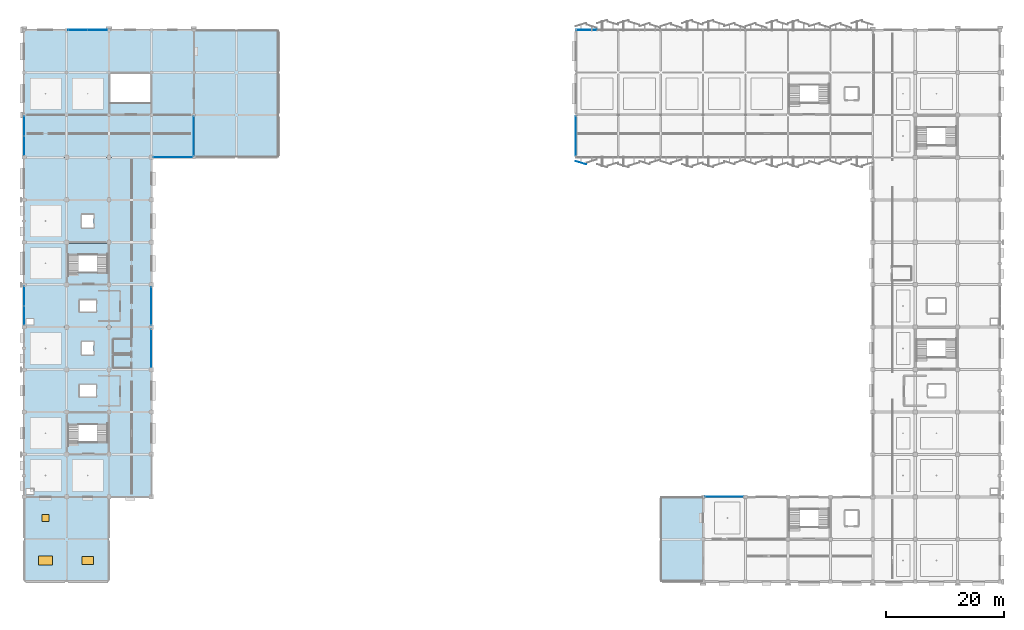
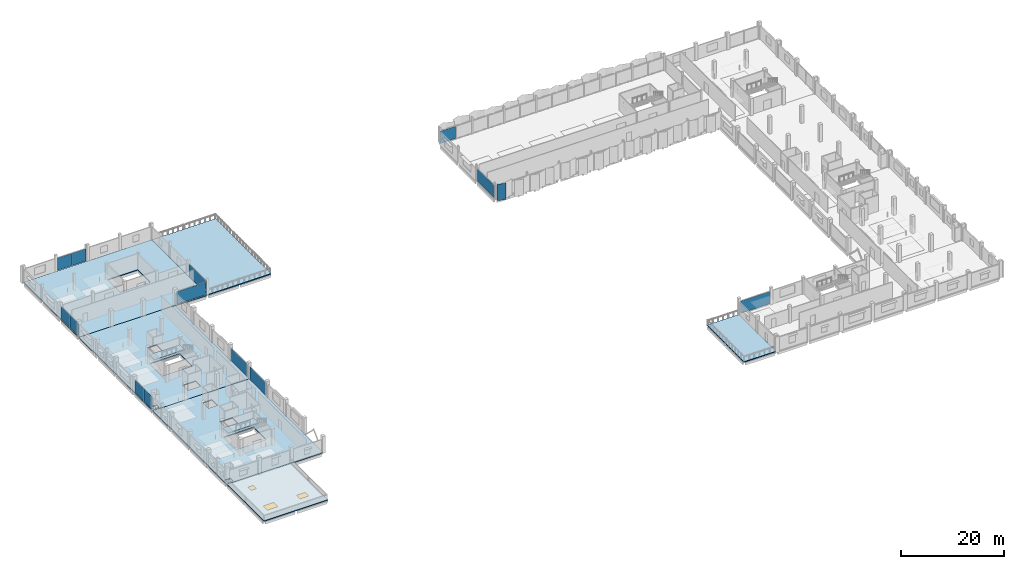
# One storey, part 61 of 91: 14 plates, 8 slabs, 3 windows, 3 openings, 12 elements without a shape of their own.
"""IFC4 building model written with IfcOpenShell, lengths in metres."""

from ifc_helpers import new_model, si_unit, direction, frame, origin, origin_2d, place, context, subcontext, project, spatial, polyline, rectangle, outline, extrude, material, layer, layer_set, type_object, element, fill, aggregate, save


model = new_model("IFC4")

# Units and contexts
model_context = context("Model", 3, precision=1e-05, world=origin(), true_north=direction((0.0, 1.0)))
body_context = subcontext(model_context, "Body", "Model", "MODEL_VIEW")
ifc_project = project(units=[si_unit("LENGTHUNIT", "METRE"), si_unit("AREAUNIT", "SQUARE_METRE"), si_unit("VOLUMEUNIT", "CUBIC_METRE"), si_unit("PLANEANGLEUNIT", "RADIAN"), si_unit("MASSUNIT", "GRAM", prefix="KILO")], contexts=[model_context])

# Site, building, storey
site_placement = place(None, origin())
site = spatial("IfcSite", under=ifc_project, at=site_placement, CompositionType="ELEMENT")
building_placement = place(site_placement, origin())
building = spatial("IfcBuilding", under=site, at=building_placement, Name="Kangsadwip Square Police Headquarters", CompositionType="ELEMENT")
storey_placement = place(building_placement, frame((0.0, 0.0, 13.5)))
storey = spatial("IfcBuildingStorey", under=building, at=storey_placement, Name="L03", CompositionType="ELEMENT", Elevation=13.5)

# Curtain wall, plate
ifc_material_1 = material(Name="Thermally broken anodised aluminium AW-6063-T6", Category="aluminium")
ifc_layer_1 = layer(ifc_material_1, 0.159912109375)
ifc_layer_set_1 = layer_set([ifc_layer_1], Name="Thermally broken anodised aluminium AW-6063-T6")
curtain_wall_type_1 = type_object("IfcCurtainWallType", Name="CourtScreen6610x3200", PredefinedType="USERDEFINED", material=ifc_layer_set_1)
curtain_wall_1_placement = place(storey_placement, origin())
curtain_wall_1 = element("IfcCurtainWall", 1, at=curtain_wall_1_placement, inside=storey, type_object=curtain_wall_type_1, Name="Curtain Wall CW-L03-1155-0360", ObjectType="GLAZED_SCREEN", PredefinedType="USERDEFINED")
ifc_material_2 = material(Name="Double-glazed solar-control low-E safety glass", Category="glass")
ifc_layer_2 = layer(ifc_material_2, 0.02392578125)
ifc_layer_set_2 = layer_set([ifc_layer_2], Name="Double-glazed solar-control low-E safety glass")
plate_type_1 = type_object("IfcPlateType", Name="CwCourtVisionPanel24", PredefinedType="CURTAIN_PANEL", material=ifc_layer_set_2)
plate_1_placement = place(storey_placement, frame((118.800048828125, 36.0, 0.1201171875), z_axis=(0.0, 0.0, 1.0), x_axis=(1.0, 0.0, 0.0)))
plate_1 = element("IfcPlate", 2, at=plate_1_placement, type_object=plate_type_1, Name="CW-36 panel 1.1", PredefinedType="CURTAIN_PANEL", context=body_context, shape_type="SweptSolid", body=[
    extrude(rectangle(XDim=6.489990234375, YDim=0.02392578125, at=origin_2d()), origin(), (0.0, 0.0, 1.0), 2.9599609375),
])
aggregate(curtain_wall_1, [plate_1])

ifc_material_3 = material(Name="Thermally broken anodised aluminium AW-6063-T6", Category="aluminium")
ifc_layer_3 = layer(ifc_material_3, 0.159912109375)
ifc_layer_set_3 = layer_set([ifc_layer_3], Name="Thermally broken anodised aluminium AW-6063-T6")
curtain_wall_type_2 = type_object("IfcCurtainWallType", Name="CourtScreen6585x3200", PredefinedType="USERDEFINED", material=ifc_layer_set_3)
curtain_wall_2_placement = place(storey_placement, origin())
curtain_wall_2 = element("IfcCurtainWall", 3, at=curtain_wall_2_placement, inside=storey, type_object=curtain_wall_type_2, Name="Curtain Wall CW-L03-0220-0936", ObjectType="GLAZED_SCREEN", PredefinedType="USERDEFINED")
plate_2_placement = place(storey_placement, frame((25.262451171875, 93.60009765625, 0.1201171875), z_axis=(0.0, 0.0, 1.0), x_axis=(1.0, 0.0, 0.0)))
plate_2 = element("IfcPlate", 4, at=plate_2_placement, type_object=plate_type_1, Name="CW-37 panel 1.1", PredefinedType="CURTAIN_PANEL", context=body_context, shape_type="SweptSolid", body=[
    extrude(rectangle(XDim=6.465087890625, YDim=0.02392578125, at=origin_2d()), origin(), (0.0, 0.0, 1.0), 2.9599609375),
])
aggregate(curtain_wall_2, [plate_2])

ifc_material_4 = material(Name="Thermally broken anodised aluminium AW-6063-T6", Category="aluminium")
ifc_layer_4 = layer(ifc_material_4, 0.159912109375)
ifc_layer_set_4 = layer_set([ifc_layer_4], Name="Thermally broken anodised aluminium AW-6063-T6")
curtain_wall_type_3 = type_object("IfcCurtainWallType", Name="CourtScreen6460x3200", PredefinedType="USERDEFINED", material=ifc_layer_set_4)
curtain_wall_3_placement = place(storey_placement, origin())
curtain_wall_3 = element("IfcCurtainWall", 5, at=curtain_wall_3_placement, inside=storey, type_object=curtain_wall_type_3, Name="Curtain Wall CW-L03-0216-0580", ObjectType="GLAZED_SCREEN", PredefinedType="USERDEFINED")
plate_3_placement = place(storey_placement, frame((21.60009765625, 61.199951171875, 0.1201171875), z_axis=(0.0, 0.0, 1.0), x_axis=(0.0, 1.0, 0.0)))
plate_3 = element("IfcPlate", 6, at=plate_3_placement, type_object=plate_type_1, Name="CW-16 panel 1.1", PredefinedType="CURTAIN_PANEL", context=body_context, shape_type="SweptSolid", body=[
    extrude(rectangle(XDim=6.340087890625, YDim=0.02392578125, at=origin_2d()), origin(), (0.0, 0.0, 1.0), 2.9599609375),
])
aggregate(curtain_wall_3, [plate_3])

curtain_wall_4_placement = place(storey_placement, origin())
curtain_wall_4 = element("IfcCurtainWall", 7, at=curtain_wall_4_placement, inside=storey, type_object=curtain_wall_type_3, Name="Curtain Wall CW-L03-0216-0652", ObjectType="GLAZED_SCREEN", PredefinedType="USERDEFINED")
plate_4_placement = place(storey_placement, frame((21.60009765625, 68.39990234375, 0.1201171875), z_axis=(0.0, 0.0, 1.0), x_axis=(0.0, 1.0, 0.0)))
plate_4 = element("IfcPlate", 8, at=plate_4_placement, type_object=plate_type_1, Name="CW-16 panel 1.1", PredefinedType="CURTAIN_PANEL", context=body_context, shape_type="SweptSolid", body=[
    extrude(rectangle(XDim=6.340087890625, YDim=0.02392578125, at=origin_2d()), origin(), (0.0, 0.0, 1.0), 2.9599609375),
])
aggregate(curtain_wall_4, [plate_4])

ifc_material_5 = material(Name="Thermally broken anodised aluminium AW-6063-T6", Category="aluminium")
ifc_layer_5 = layer(ifc_material_5, 0.159912109375)
ifc_layer_set_5 = layer_set([ifc_layer_5], Name="Thermally broken anodised aluminium AW-6063-T6")
curtain_wall_type_4 = type_object("IfcCurtainWallType", Name="CourtScreen6685x3200", PredefinedType="USERDEFINED", material=ifc_layer_set_5)
curtain_wall_5_placement = place(storey_placement, origin())
curtain_wall_5 = element("IfcCurtainWall", 9, at=curtain_wall_5_placement, inside=storey, type_object=curtain_wall_type_4, Name="Curtain Wall CW-L03-0288-0938", ObjectType="GLAZED_SCREEN", PredefinedType="USERDEFINED")
plate_5_placement = place(storey_placement, frame((28.800048828125, 97.1875, 0.1201171875), z_axis=(0.0, 0.0, 1.0), x_axis=(0.0, 1.0, 0.0)))
plate_5 = element("IfcPlate", 10, at=plate_5_placement, type_object=plate_type_1, Name="CW-35 panel 1.1", PredefinedType="CURTAIN_PANEL", context=body_context, shape_type="SweptSolid", body=[
    extrude(rectangle(XDim=6.56494140625, YDim=0.02392578125, at=origin_2d()), origin(), (0.0, 0.0, 1.0), 2.9599609375),
])
aggregate(curtain_wall_5, [plate_5])

ifc_material_6 = material(Name="Thermally broken anodised aluminium AW-6063-T6", Category="aluminium")
ifc_layer_6 = layer(ifc_material_6, 0.159912109375)
ifc_layer_set_6 = layer_set([ifc_layer_6], Name="Thermally broken anodised aluminium AW-6063-T6")
curtain_wall_type_5 = type_object("IfcCurtainWallType", Name="CourtScreen6844x3200", PredefinedType="USERDEFINED", material=ifc_layer_set_6)
curtain_wall_6_placement = place(storey_placement, origin())
curtain_wall_6 = element("IfcCurtainWall", 11, at=curtain_wall_6_placement, inside=storey, type_object=curtain_wall_type_5, Name="Curtain Wall CW-L03-0936-0938", ObjectType="GLAZED_SCREEN", PredefinedType="USERDEFINED")
plate_6_placement = place(storey_placement, frame((93.60009765625, 97.199951171875, 0.1201171875), z_axis=(0.0, 0.0, 1.0), x_axis=(0.0, 1.0, 0.0)))
plate_6 = element("IfcPlate", 12, at=plate_6_placement, type_object=plate_type_1, Name="CW-40 panel 1.1", PredefinedType="CURTAIN_PANEL", context=body_context, shape_type="SweptSolid", body=[
    extrude(rectangle(XDim=6.72412109375, YDim=0.02392578125, at=origin_2d()), origin(), (0.0, 0.0, 1.0), 2.9599609375),
])
aggregate(curtain_wall_6, [plate_6])

# Curtain wall, plates
ifc_material_7 = material(Name="Thermally broken anodised aluminium AW-6063-T6", Category="aluminium")
ifc_layer_7 = layer(ifc_material_7, 0.159912109375)
ifc_layer_set_7 = layer_set([ifc_layer_7], Name="Thermally broken anodised aluminium AW-6063-T6")
curtain_wall_type_6 = type_object("IfcCurtainWallType", Name="UnitisedCw6685x3200", PredefinedType="NOTDEFINED", material=ifc_layer_set_7)
curtain_wall_7_placement = place(storey_placement, origin())
curtain_wall_7 = element("IfcCurtainWall", 13, at=curtain_wall_7_placement, inside=storey, type_object=curtain_wall_type_6, Name="Curtain Wall CW-L03-0074-1152", PredefinedType="NOTDEFINED")
ifc_material_8 = material(Name="Double-glazed solar-control low-E safety glass", Category="glass")
ifc_layer_8 = layer(ifc_material_8, 0.028076171875)
ifc_layer_set_8 = layer_set([ifc_layer_8], Name="Double-glazed solar-control low-E safety glass")
plate_type_2 = type_object("IfcPlateType", Name="CwSolarVisionPanel28", PredefinedType="CURTAIN_PANEL", material=ifc_layer_set_8)
plate_7_placement = place(storey_placement, frame((9.132568359375, 115.199951171875, 0.130126953125), z_axis=(0.0, 0.0, 1.0), x_axis=(1.0, 0.0, 0.0)))
plate_7 = element("IfcPlate", 14, at=plate_7_placement, type_object=plate_type_2, Name="CW-23 panel 1.1", PredefinedType="CURTAIN_PANEL", context=body_context, shape_type="SweptSolid", body=[
    extrude(rectangle(XDim=3.2451171875, YDim=0.028076171875, at=origin_2d()), origin(), (0.0, 0.0, 1.0), 2.93994140625),
])
plate_8_placement = place(storey_placement, frame((12.4423828125, 115.199951171875, 0.130126953125), z_axis=(0.0, 0.0, 1.0), x_axis=(1.0, 0.0, 0.0)))
plate_8 = element("IfcPlate", 15, at=plate_8_placement, type_object=plate_type_2, Name="CW-23 panel 2.1", PredefinedType="CURTAIN_PANEL", context=body_context, shape_type="SweptSolid", body=[
    extrude(rectangle(XDim=3.2451171875, YDim=0.028076171875, at=origin_2d()), origin(), (0.0, 0.0, 1.0), 2.93994140625),
])
aggregate(curtain_wall_7, [plate_7, plate_8])

# Curtain wall, plate
ifc_material_9 = material(Name="Thermally broken anodised aluminium AW-6063-T6", Category="aluminium")
ifc_layer_9 = layer(ifc_material_9, 0.159912109375)
ifc_layer_set_9 = layer_set([ifc_layer_9], Name="Thermally broken anodised aluminium AW-6063-T6")
curtain_wall_type_7 = type_object("IfcCurtainWallType", Name="UnitisedCw7180x3200", PredefinedType="NOTDEFINED", material=ifc_layer_set_9)
curtain_wall_8_placement = place(storey_placement, origin())
curtain_wall_8 = element("IfcCurtainWall", 16, at=curtain_wall_8_placement, inside=storey, type_object=curtain_wall_type_7, Name="Curtain Wall CW-L03-0936-1152", PredefinedType="NOTDEFINED")
plate_9_placement = place(storey_placement, frame((95.421142578125, 115.199951171875, 0.130126953125), z_axis=(0.0, 0.0, 1.0), x_axis=(1.0, 0.0, 0.0)))
plate_9 = element("IfcPlate", 17, at=plate_9_placement, type_object=plate_type_2, Name="CW-38 panel 1.1", PredefinedType="CURTAIN_PANEL", context=body_context, shape_type="SweptSolid", body=[
    extrude(rectangle(XDim=3.492431640625, YDim=0.028076171875, at=origin_2d()), origin(), (0.0, 0.0, 1.0), 2.93994140625),
])
aggregate(curtain_wall_8, [plate_9])

# Curtain wall, plates
ifc_material_10 = material(Name="Thermally broken anodised aluminium AW-6063-T6", Category="aluminium")
ifc_layer_10 = layer(ifc_material_10, 0.159912109375)
ifc_layer_set_10 = layer_set([ifc_layer_10], Name="Thermally broken anodised aluminium AW-6063-T6")
curtain_wall_type_8 = type_object("IfcCurtainWallType", Name="UnitisedCw6635x3200", PredefinedType="NOTDEFINED", material=ifc_layer_set_10)
curtain_wall_9_placement = place(storey_placement, origin())
curtain_wall_9 = element("IfcCurtainWall", 18, at=curtain_wall_9_placement, inside=storey, type_object=curtain_wall_type_8, Name="Curtain Wall CW-L03-0000-0939", PredefinedType="NOTDEFINED")
plate_10_placement = place(storey_placement, frame((0.0, 95.570068359375, 0.130126953125), z_axis=(0.0, 0.0, 1.0), x_axis=(0.0, 1.0, 0.0)))
plate_10 = element("IfcPlate", 19, at=plate_10_placement, type_object=plate_type_2, Name="CW-39 panel 1.1", PredefinedType="CURTAIN_PANEL", context=body_context, shape_type="SweptSolid", body=[
    extrude(rectangle(XDim=3.219970703125, YDim=0.028076171875, at=origin_2d()), origin(), (0.0, 0.0, 1.0), 2.93994140625),
])
plate_11_placement = place(storey_placement, frame((0.0, 98.85498046875, 0.130126953125), z_axis=(0.0, 0.0, 1.0), x_axis=(0.0, 1.0, 0.0)))
plate_11 = element("IfcPlate", 20, at=plate_11_placement, type_object=plate_type_2, Name="CW-39 panel 2.1", PredefinedType="CURTAIN_PANEL", context=body_context, shape_type="SweptSolid", body=[
    extrude(rectangle(XDim=3.219970703125, YDim=0.028076171875, at=origin_2d()), origin(), (0.0, 0.0, 1.0), 2.93994140625),
])
aggregate(curtain_wall_9, [plate_10, plate_11])

ifc_material_11 = material(Name="Thermally broken anodised aluminium AW-6063-T6", Category="aluminium")
ifc_layer_11 = layer(ifc_material_11, 0.159912109375)
ifc_layer_set_11 = layer_set([ifc_layer_11], Name="Thermally broken anodised aluminium AW-6063-T6")
curtain_wall_type_9 = type_object("IfcCurtainWallType", Name="UnitisedCw6610x3200", PredefinedType="NOTDEFINED", material=ifc_layer_set_11)
curtain_wall_10_placement = place(storey_placement, origin())
curtain_wall_10 = element("IfcCurtainWall", 21, at=curtain_wall_10_placement, inside=storey, type_object=curtain_wall_type_9, Name="Curtain Wall CW-L03-0000-0651", PredefinedType="NOTDEFINED")
ifc_material_12 = material(Name="Insulated ceramic-fritted spandrel safety glass", Category="glass")
ifc_layer_12 = layer(ifc_material_12, 0.0400390625)
ifc_layer_set_12 = layer_set([ifc_layer_12], Name="Insulated ceramic-fritted spandrel safety glass")
plate_type_3 = type_object("IfcPlateType", Name="CwSpandrelSheetPanel40", PredefinedType="SHEET", material=ifc_layer_set_12)
plate_12_placement = place(storey_placement, frame((0.0, 66.763671875, 0.130126953125), z_axis=(0.0, 0.0, 1.0), x_axis=(0.0, 1.0, 0.0)))
plate_12 = element("IfcPlate", 22, at=plate_12_placement, type_object=plate_type_3, Name="CW-28 panel 1.1", PredefinedType="SHEET", context=body_context, shape_type="SweptSolid", body=[
    extrude(rectangle(XDim=3.20751953125, YDim=0.0400390625, at=origin_2d()), origin(), (0.0, 0.0, 1.0), 2.93994140625),
])
plate_13_placement = place(storey_placement, frame((0.0, 70.0361328125, 0.130126953125), z_axis=(0.0, 0.0, 1.0), x_axis=(0.0, 1.0, 0.0)))
plate_13 = element("IfcPlate", 23, at=plate_13_placement, type_object=plate_type_3, Name="CW-28 panel 2.1", PredefinedType="SHEET", context=body_context, shape_type="SweptSolid", body=[
    extrude(rectangle(XDim=3.20751953125, YDim=0.0400390625, at=origin_2d()), origin(), (0.0, 0.0, 1.0), 2.93994140625),
])
aggregate(curtain_wall_10, [plate_12, plate_13])

# Slab, openings, windows
ifc_material_13 = material(Name="Concrete M35 (35 MPa)", Category="concrete")
ifc_layer_13 = layer(ifc_material_13, 0.215087890625)
ifc_layer_set_13 = layer_set([ifc_layer_13], Name="Concrete M35 (35 MPa)")
slab_type_1 = type_object("IfcSlabType", Name="FlatRoofSlab180", PredefinedType="ROOF", material=ifc_layer_set_13)
slab_1_placement = place(storey_placement, frame((0.0, 0.0, -0.215087890625)))
slab_1 = element("IfcSlab", 24, at=slab_1_placement, inside=storey, type_object=slab_type_1, Name="West Link Insulated Flat Roof SL-L03-068", PredefinedType="ROOF", context=body_context, shape_type="SweptSolid", body=[
    extrude(outline(polyline([(0.0, 21.60009765625), (0.0, 36.0), (14.39990234375, 36.0), (14.39990234375, 21.60009765625), (0.0, 21.60009765625)]), holes=[polyline([(2.39990234375, 24.39990234375), (4.800048828125, 24.39990234375), (4.800048828125, 26.0), (2.39990234375, 26.0), (2.39990234375, 24.39990234375)]), polyline([(9.800048828125, 24.5), (11.800048828125, 24.5), (11.800048828125, 25.89990234375), (9.800048828125, 25.89990234375), (9.800048828125, 24.5)]), polyline([(3.0, 31.800048828125), (4.199951171875, 31.800048828125), (4.199951171875, 33.0), (3.0, 33.0), (3.0, 31.800048828125)])]), origin(), (0.0, 0.0, 1.0), 0.215087890625),
])
opening_1_placement = place(slab_1_placement, frame((3.60009765625, 25.199951171875, 0.0)))
opening_1 = element("IfcOpeningElement", 25, at=opening_1_placement, cuts=slab_1, Name="Opening SK-01", PredefinedType="OPENING", context=body_context, shape_type="SweptSolid", body=[
    extrude(rectangle(XDim=2.39990234375, YDim=1.60009765625, at=origin_2d()), origin(), (0.0, 0.0, 1.0), 0.215087890625),
])
opening_2_placement = place(slab_1_placement, frame((10.800048828125, 25.199951171875, 0.0)))
opening_2 = element("IfcOpeningElement", 26, at=opening_2_placement, cuts=slab_1, Name="Opening SK-02", PredefinedType="OPENING", context=body_context, shape_type="SweptSolid", body=[
    extrude(rectangle(XDim=2.0, YDim=1.39990234375, at=origin_2d()), origin(), (0.0, 0.0, 1.0), 0.215087890625),
])
opening_3_placement = place(slab_1_placement, frame((3.60009765625, 32.39990234375, 0.0)))
opening_3 = element("IfcOpeningElement", 27, at=opening_3_placement, cuts=slab_1, Name="Opening SK-12", PredefinedType="OPENING", context=body_context, shape_type="SweptSolid", body=[
    extrude(rectangle(XDim=1.199951171875, YDim=1.199951171875, at=origin_2d()), origin(), (0.0, 0.0, 1.0), 0.215087890625),
])
ifc_material_14 = material(Name="Double-glazed solar-control low-E safety glass", Category="glass")
window_type_1 = type_object("IfcWindowType", Name="FlatRoofLightdome1200x1200", PartitioningType="SINGLE_PANEL", PredefinedType="LIGHTDOME", material=ifc_material_14)
window_1_placement = place(opening_3_placement, frame((0.0, 0.0, 0.1650390625)))
window_1 = element("IfcWindow", 28, at=window_1_placement, inside=storey, type_object=window_type_1, Name="Roof Lightdome SK-L03-0469", OverallHeight=1.199951171875, OverallWidth=1.199951171875, PartitioningType="SINGLE_PANEL", PredefinedType="LIGHTDOME", context=body_context, shape_type="SweptSolid", body=[
    extrude(rectangle(XDim=1.199951171875, YDim=1.199951171875, at=origin_2d()), origin(), (0.0, 0.0, 1.0), 0.050048828125),
])
fill(opening_3, window_1)
ifc_material_15 = material(Name="Double-glazed solar-control low-E safety glass", Category="glass")
window_type_2 = type_object("IfcWindowType", Name="FlatRoofSkylight2000x1400", PartitioningType="SINGLE_PANEL", PredefinedType="SKYLIGHT", material=ifc_material_15)
window_2_placement = place(opening_2_placement, frame((0.0, 0.0, 0.1650390625)))
window_2 = element("IfcWindow", 29, at=window_2_placement, inside=storey, type_object=window_type_2, Name="Roof Skylight SK-L03-0468", OverallHeight=1.39990234375, OverallWidth=2.0, PartitioningType="SINGLE_PANEL", PredefinedType="SKYLIGHT", context=body_context, shape_type="SweptSolid", body=[
    extrude(rectangle(XDim=2.0, YDim=1.39990234375, at=origin_2d()), origin(), (0.0, 0.0, 1.0), 0.050048828125),
])
fill(opening_2, window_2)
ifc_material_16 = material(Name="Double-glazed solar-control low-E safety glass", Category="glass")
window_type_3 = type_object("IfcWindowType", Name="FlatRoofSkylight2400x1600", PartitioningType="SINGLE_PANEL", PredefinedType="SKYLIGHT", material=ifc_material_16)
window_3_placement = place(opening_1_placement, frame((0.0, 0.0, 0.1650390625)))
window_3 = element("IfcWindow", 30, at=window_3_placement, inside=storey, type_object=window_type_3, Name="Roof Skylight SK-L03-0467", OverallHeight=1.60009765625, OverallWidth=2.39990234375, PartitioningType="SINGLE_PANEL", PredefinedType="SKYLIGHT", context=body_context, shape_type="SweptSolid", body=[
    extrude(rectangle(XDim=2.39990234375, YDim=1.60009765625, at=origin_2d()), origin(), (0.0, 0.0, 1.0), 0.050048828125),
])
fill(opening_1, window_3)

# Slabs
ifc_material_17 = material(Name="Concrete M35 (35 MPa)", Category="concrete")
ifc_layer_14 = layer(ifc_material_17, 0.239990234375)
ifc_layer_set_14 = layer_set([ifc_layer_14], Name="Concrete M35 (35 MPa)")
slab_type_2 = type_object("IfcSlabType", Name="MainFloorSlab240", PredefinedType="FLOOR", material=ifc_layer_set_14)
slab_2_placement = place(storey_placement, frame((0.0, 0.0, -0.239990234375)))
element("IfcSlab", 31, at=slab_2_placement, inside=storey, type_object=slab_type_2, Name="L03 Vol4 Slab SL-L03-039", PredefinedType="FLOOR", context=body_context, shape_type="SweptSolid", body=[
    extrude(outline(polyline([(0.0, 93.60009765625), (0.0, 115.199951171875), (28.800048828125, 115.199951171875), (28.800048828125, 93.60009765625), (0.0, 93.60009765625)]), holes=[polyline([(14.6201171875, 102.8798828125), (21.3798828125, 102.8798828125), (21.3798828125, 107.780029296875), (14.6201171875, 107.780029296875), (14.6201171875, 102.8798828125)])]), origin(), (0.0, 0.0, 1.0), 0.239990234375),
])
slab_3_placement = place(storey_placement, frame((0.0, 0.0, -0.239990234375)))
element("IfcSlab", 32, at=slab_3_placement, inside=storey, type_object=slab_type_2, Name="L03 Vol5S Slab SL-L03-042", PredefinedType="FLOOR", context=body_context, shape_type="SweptSolid", body=[
    extrude(outline(polyline([(0.0, 36.0), (0.0, 64.800048828125), (21.60009765625, 64.800048828125), (21.60009765625, 36.0), (0.0, 36.0)]), holes=[polyline([(1.60009765625, 37.39990234375), (0.39990234375, 37.39990234375), (0.39990234375, 36.39990234375), (1.60009765625, 36.39990234375), (1.60009765625, 37.39990234375)]), polyline([(14.179931640625, 45.280029296875), (14.179931640625, 50.179931640625), (7.419921875, 50.179931640625), (7.419921875, 45.280029296875), (14.179931640625, 45.280029296875)]), polyline([(12.199951171875, 55.0), (9.39990234375, 55.0), (9.39990234375, 53.0), (12.199951171875, 53.0), (12.199951171875, 55.0)]), polyline([(11.800048828125, 62.300048828125), (9.800048828125, 62.300048828125), (9.800048828125, 60.10009765625), (11.800048828125, 60.10009765625), (11.800048828125, 62.300048828125)])]), origin(), (0.0, 0.0, 1.0), 0.239990234375),
])
slab_4_placement = place(storey_placement, frame((0.0, 0.0, -0.239990234375)))
element("IfcSlab", 33, at=slab_4_placement, inside=storey, type_object=slab_type_2, Name="L03 Vol5N Slab SL-L03-043", PredefinedType="FLOOR", context=body_context, shape_type="SweptSolid", body=[
    extrude(outline(polyline([(0.0, 64.800048828125), (0.0, 93.60009765625), (21.60009765625, 93.60009765625), (21.60009765625, 64.800048828125), (0.0, 64.800048828125)]), holes=[polyline([(1.60009765625, 66.199951171875), (0.39990234375, 66.199951171875), (0.39990234375, 65.199951171875), (1.60009765625, 65.199951171875), (1.60009765625, 66.199951171875)]), polyline([(12.199951171875, 69.39990234375), (9.39990234375, 69.39990234375), (9.39990234375, 67.39990234375), (12.199951171875, 67.39990234375), (12.199951171875, 69.39990234375)]), polyline([(14.179931640625, 74.080078125), (14.179931640625, 78.97998046875), (7.419921875, 78.97998046875), (7.419921875, 74.080078125), (14.179931640625, 74.080078125)]), polyline([(11.800048828125, 81.699951171875), (11.800048828125, 83.89990234375), (9.800048828125, 83.89990234375), (9.800048828125, 81.699951171875), (11.800048828125, 81.699951171875)])]), origin(), (0.0, 0.0, 1.0), 0.239990234375),
])

# Plate
ifc_material_18 = material(Name="PVDF-coated perforated marine-grade aluminium AW-5052-H32", Category="aluminium")
ifc_layer_15 = layer(ifc_material_18, 0.0048828125)
ifc_layer_set_15 = layer_set([ifc_layer_15], Name="PVDF-coated perforated marine-grade aluminium AW-5052-H32")
plate_type_4 = type_object("IfcPlateType", Name="PleatedVeilFacet5", PredefinedType="USERDEFINED", material=ifc_layer_set_15)
plate_14_placement = place(storey_placement, frame((94.5, 92.674560546875, 0.080078125), z_axis=(0.0, 0.0, 1.0), x_axis=(0.953716950748, -0.300705799504, 0.0)))
element("IfcPlate", 34, at=plate_14_placement, inside=storey, type_object=plate_type_4, Name="Pleated Perforated Veil Facet PVF-L03-0309", ObjectType="VEIL_FACET", PredefinedType="USERDEFINED", context=body_context, shape_type="SweptSolid", body=[
    extrude(rectangle(XDim=1.820068359375, YDim=0.0048828125, at=origin_2d()), origin(), (0.0, 0.0, 1.0), 3.89990234375),
])

# Stair, slab
ifc_material_19 = material(Name="Concrete M35 (35 MPa)", Category="concrete")
stair_type = type_object("IfcStairType", Name="Stair2FlightTypW1850", PredefinedType="HALF_TURN_STAIR", material=ifc_material_19)
stair_1_placement = place(storey_placement, origin())
stair_1 = element("IfcStair", 35, at=stair_1_placement, inside=storey, type_object=stair_type, Name="Protected Stair ST-01 L03", PredefinedType="HALF_TURN_STAIR")
ifc_material_20 = material(Name="Concrete M35 (35 MPa)", Category="concrete")
ifc_layer_16 = layer(ifc_material_20, 0.199951171875)
ifc_layer_set_16 = layer_set([ifc_layer_16], Name="Concrete M35 (35 MPa)")
slab_type_3 = type_object("IfcSlabType", Name="StairLandingSlab200", PredefinedType="LANDING", material=ifc_layer_set_16)
slab_5_placement = place(storey_placement, frame((0.0, 0.0, 1.906005859375)))
slab_5 = element("IfcSlab", 36, at=slab_5_placement, type_object=slab_type_3, Name="ST-01 landing 1", PredefinedType="LANDING", context=body_context, shape_type="SweptSolid", body=[
    extrude(outline(polyline([(7.3701171875, 48.280029296875), (14.22998046875, 48.280029296875), (14.22998046875, 50.22998046875), (7.3701171875, 50.22998046875), (7.3701171875, 48.280029296875)])), origin(), (0.0, 0.0, 1.0), 0.199951171875),
])
aggregate(stair_1, [slab_5])

stair_2_placement = place(storey_placement, origin())
stair_2 = element("IfcStair", 37, at=stair_2_placement, inside=storey, type_object=stair_type, Name="Protected Stair ST-02 L03", PredefinedType="HALF_TURN_STAIR")
slab_6_placement = place(storey_placement, frame((0.0, 0.0, 1.906005859375)))
slab_6 = element("IfcSlab", 38, at=slab_6_placement, type_object=slab_type_3, Name="ST-02 landing 1", PredefinedType="LANDING", context=body_context, shape_type="SweptSolid", body=[
    extrude(outline(polyline([(7.3701171875, 77.080078125), (14.22998046875, 77.080078125), (14.22998046875, 79.030029296875), (7.3701171875, 79.030029296875), (7.3701171875, 77.080078125)])), origin(), (0.0, 0.0, 1.0), 0.199951171875),
])
aggregate(stair_2, [slab_6])

# Slabs
ifc_material_21 = material(Name="Concrete M35 (35 MPa)", Category="concrete")
ifc_layer_17 = layer(ifc_material_21, 0.22509765625)
ifc_layer_set_17 = layer_set([ifc_layer_17], Name="Concrete M35 (35 MPa)")
slab_type_4 = type_object("IfcSlabType", Name="TerraceGardenSlab200", PredefinedType="USERDEFINED", material=ifc_layer_set_17)
slab_7_placement = place(storey_placement, frame((0.0, 0.0, -0.22509765625)))
element("IfcSlab", 39, at=slab_7_placement, inside=storey, type_object=slab_type_4, Name="Canteen East Terrace Deck SL-L03-067", ObjectType="TERRACE_SLAB", PredefinedType="USERDEFINED", context=body_context, shape_type="SweptSolid", body=[
    extrude(outline(polyline([(28.800048828125, 93.60009765625), (28.800048828125, 115.199951171875), (43.199951171875, 115.199951171875), (43.199951171875, 93.60009765625), (28.800048828125, 93.60009765625)])), origin(), (0.0, 0.0, 1.0), 0.22509765625),
])
slab_8_placement = place(storey_placement, frame((0.0, 0.0, -0.22509765625)))
element("IfcSlab", 40, at=slab_8_placement, inside=storey, type_object=slab_type_4, Name="Training West Balcony Terrace SL-L03-069", ObjectType="TERRACE_SLAB", PredefinedType="USERDEFINED", context=body_context, shape_type="SweptSolid", body=[
    extrude(outline(polyline([(108.0, 21.60009765625), (108.0, 36.0), (115.199951171875, 36.0), (115.199951171875, 21.60009765625), (108.0, 21.60009765625)])), origin(), (0.0, 0.0, 1.0), 0.22509765625),
])

save(model, "model.ifc")
